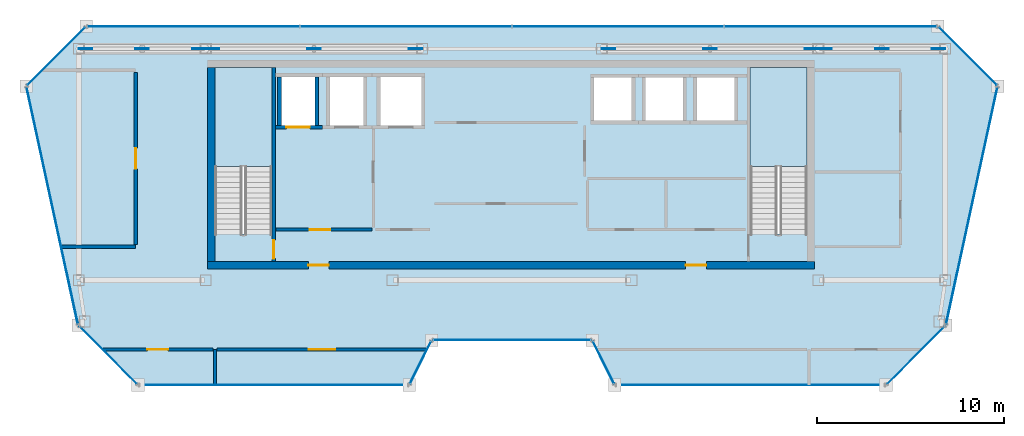
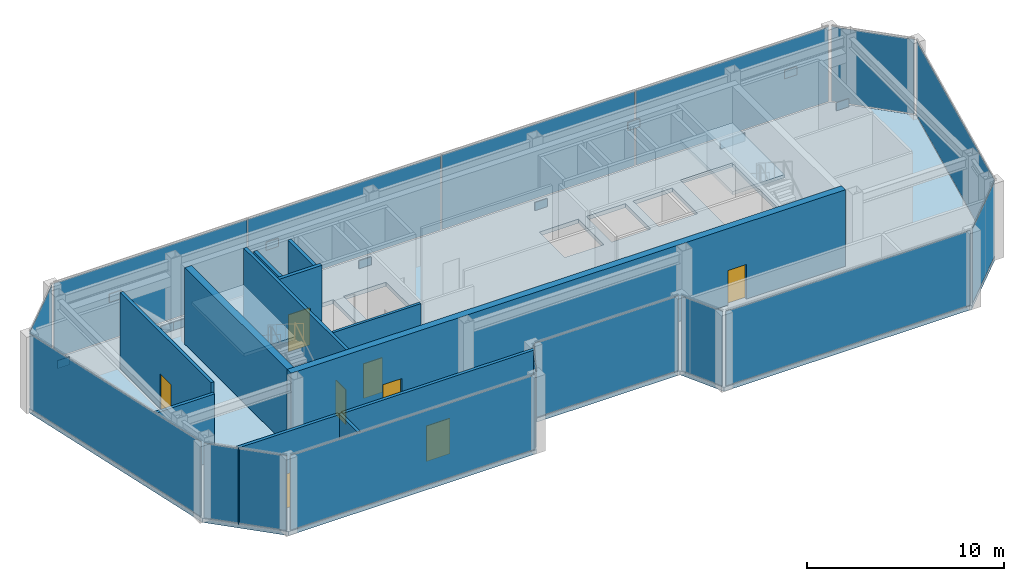
# One storey, part 15 of 20: 27 plates, 12 walls, 8 doors, 3 slabs, 8 openings, 14 elements without a shape of their own.
"""IFC4 building model written with IfcOpenShell, lengths in metres."""

from ifc_helpers import new_model, si_unit, direction, frame, frame_2d, origin, origin_2d, place, context, subcontext, project, spatial, polyline, rectangle, outline, extrude, material, layer, layer_set, type_object, element, fill, aggregate, save


model = new_model("IFC4")

# Units and contexts
model_context = context("Model", 3, precision=1e-05, world=origin(), true_north=direction((0.0, 1.0)))
body_context = subcontext(model_context, "Body", "Model", "MODEL_VIEW")
ifc_project = project(units=[si_unit("LENGTHUNIT", "METRE"), si_unit("AREAUNIT", "SQUARE_METRE"), si_unit("VOLUMEUNIT", "CUBIC_METRE"), si_unit("PLANEANGLEUNIT", "RADIAN"), si_unit("MASSUNIT", "GRAM", prefix="KILO")], contexts=[model_context])

# Site, building, storey
site_placement = place(None, origin())
site = spatial("IfcSite", under=ifc_project, at=site_placement, CompositionType="ELEMENT")
building_placement = place(site_placement, origin())
building = spatial("IfcBuilding", under=site, at=building_placement, Name="Saevonmaru Cultural Tower", CompositionType="ELEMENT")
storey_placement = place(building_placement, frame((0.0, 0.0, 314.199951171875)))
storey = spatial("IfcBuildingStorey", under=building, at=storey_placement, Name="L75", CompositionType="ELEMENT", Elevation=314.199951171875)

# Plates
ifc_material_1 = material(Name="Steel HSA600 (600 MPa)", Category="steel")
ifc_layer_1 = layer(ifc_material_1, 0.044921875, Name="Steel HSA600 (600 MPa)")
ifc_layer_set_1 = layer_set([ifc_layer_1], Name="Steel HSA600 (600 MPa)")
plate_type_1 = type_object("IfcPlateType", Name="PL-GUSSET-INT", PredefinedType="USERDEFINED", material=ifc_layer_set_1)
for number, where, z_axis, x_axis, name in (
    (1, (13.9599609375, 54.800048828125, 0.300048828125), (0.0, 0.0, 1.0), (1.0, 0.0, 0.0), "L75 Truss Base Gusset Plate OW1-1"),
    (2, (24.840087890625, 54.800048828125, 0.300048828125), (0.0, 0.0, 1.0), (1.0, 0.0, 0.0), "L75 Truss Base Gusset Plate OW1-2"),
    (3, (19.39990234375, 54.800048828125, 3.35009765625), (0.0, 0.0, 1.0), (1.0, 0.0, 0.0), "L75 Truss Node Gusset Plate OW1"),
    (4, (35.159912109375, 54.800048828125, 0.300048828125), (0.0, 0.0, 1.0), (1.0, 0.0, 0.0), "L75 Truss Base Gusset Plate OE1-1"),
    (5, (46.0400390625, 54.800048828125, 0.300048828125), (0.0, 0.0, 1.0), (1.0, 0.0, 0.0), "L75 Truss Base Gusset Plate OE1-2"),
    (6, (40.60009765625, 54.800048828125, 3.35009765625), (0.0, 0.0, 1.0), (1.0, 0.0, 0.0), "L75 Truss Node Gusset Plate OE1"),
    (7, (7.159912109375, 54.800048828125, 0.300048828125), (0.0, 0.0, 1.0), (1.0, 0.0, 0.0), "L75 Truss Base Gusset Plate OW2-1"),
    (8, (13.239990234375, 54.800048828125, 0.300048828125), (0.0, 0.0, 1.0), (1.0, 0.0, 0.0), "L75 Truss Base Gusset Plate OW2-2"),
    (9, (10.199951171875, 54.800048828125, 3.35009765625), (0.0, 0.0, 1.0), (1.0, 0.0, 0.0), "L75 Truss Node Gusset Plate OW2"),
    (10, (46.760009765625, 54.800048828125, 0.300048828125), (0.0, 0.0, 1.0), (1.0, 0.0, 0.0), "L75 Truss Base Gusset Plate OE2-1"),
    (11, (52.840087890625, 54.800048828125, 0.300048828125), (0.0, 0.0, 1.0), (1.0, 0.0, 0.0), "L75 Truss Base Gusset Plate OE2-2"),
    (12, (49.800048828125, 54.800048828125, 3.35009765625), (0.0, 0.0, 1.0), (1.0, 0.0, 0.0), "L75 Truss Node Gusset Plate OE2"),
):
    element("IfcPlate", number, at=place(storey_placement, frame(where, z_axis=z_axis, x_axis=x_axis)), inside=storey, type_object=plate_type_1, Name=name, ObjectType="GUSSET_PLATE", PredefinedType="USERDEFINED", context=body_context, shape_type="SweptSolid", body=[
        extrude(rectangle(XDim=0.719970703125, YDim=0.044921875, at=origin_2d()), origin(), (0.0, 0.0, 1.0), 0.5),
    ])

# Curtain wall, plate
ifc_material_2 = material(Name="Satin Bronze Anodised Aluminium", Category="aluminium")
curtain_wall_type = type_object("IfcCurtainWallType", Name="CW-TYP-B", PredefinedType="NOTDEFINED", material=ifc_material_2)
curtain_wall_1_placement = place(storey_placement, origin())
curtain_wall_1 = element("IfcCurtainWall", 13, at=curtain_wall_1_placement, inside=storey, type_object=curtain_wall_type, Name="L75 Wind-Floor Acoustic Louvre Screen E1", PredefinedType="NOTDEFINED")
ifc_material_3 = material(Name="Champagne Bronze Anodised Aluminium", Category="aluminium")
ifc_layer_2 = layer(ifc_material_3, 0.080078125, Name="Champagne Bronze Anodised Aluminium")
ifc_layer_set_2 = layer_set([ifc_layer_2], Name="Champagne Bronze Anodised Aluminium")
plate_type_2 = type_object("IfcPlateType", Name="PN-LOUVRE-WIND", PredefinedType="CURTAIN_PANEL", material=ifc_layer_set_2)
plate_1_placement = place(storey_placement, frame((8.373291015625, 38.39990234375, 0.06689453125), z_axis=(0.0, 0.0, 1.0), x_axis=(0.707106781187, -0.707106781187, 0.0)))
plate_1 = element("IfcPlate", 14, at=plate_1_placement, type_object=plate_type_2, Name="CW-TW-L75-E1 panel 1.1", PredefinedType="CURTAIN_PANEL", context=body_context, shape_type="SweptSolid", body=[
    extrude(rectangle(XDim=4.336669921875, YDim=0.035888671875, at=origin_2d()), origin(), (0.0, 0.0, 1.0), 4.615966796875),
])
aggregate(curtain_wall_1, [plate_1])

curtain_wall_2_placement = place(storey_placement, origin())
curtain_wall_2 = element("IfcCurtainWall", 15, at=curtain_wall_2_placement, inside=storey, type_object=curtain_wall_type, Name="L75 Wind-Floor Acoustic Louvre Screen E2", PredefinedType="NOTDEFINED")
plate_2_placement = place(storey_placement, frame((17.236572265625, 36.800048828125, 0.06689453125), z_axis=(0.0, 0.0, 1.0), x_axis=(1.0, 0.0, 0.0)))
plate_2 = element("IfcPlate", 16, at=plate_2_placement, type_object=plate_type_2, Name="CW-TW-L75-E2 panel 1.1", PredefinedType="CURTAIN_PANEL", context=body_context, shape_type="SweptSolid", body=[
    extrude(rectangle(XDim=14.337646484375, YDim=0.035888671875, at=origin_2d()), origin(), (0.0, 0.0, 1.0), 4.615966796875),
])
aggregate(curtain_wall_2, [plate_2])

curtain_wall_3_placement = place(storey_placement, origin())
curtain_wall_3 = element("IfcCurtainWall", 17, at=curtain_wall_3_placement, inside=storey, type_object=curtain_wall_type, Name="L75 Wind-Floor Acoustic Louvre Screen E3", PredefinedType="NOTDEFINED")
plate_3_placement = place(storey_placement, frame((25.10009765625, 38.0, 0.06689453125), z_axis=(0.0, 0.0, 1.0), x_axis=(0.447244798252, 0.894411588944, 0.0)))
plate_3 = element("IfcPlate", 18, at=plate_3_placement, type_object=plate_type_2, Name="CW-TW-L75-E3 panel 1.1", PredefinedType="CURTAIN_PANEL", context=body_context, shape_type="SweptSolid", body=[
    extrude(rectangle(XDim=2.494140625, YDim=0.035888671875, at=origin_2d()), origin(), (0.0, 0.0, 1.0), 4.615966796875),
])
aggregate(curtain_wall_3, [plate_3])

curtain_wall_4_placement = place(storey_placement, origin())
curtain_wall_4 = element("IfcCurtainWall", 19, at=curtain_wall_4_placement, inside=storey, type_object=curtain_wall_type, Name="L75 Wind-Floor Acoustic Louvre Screen E4", PredefinedType="NOTDEFINED")
plate_4_placement = place(storey_placement, frame((30.0, 39.199951171875, 0.06689453125), z_axis=(0.0, 0.0, 1.0), x_axis=(1.0, 0.0, 0.0)))
plate_4 = element("IfcPlate", 20, at=plate_4_placement, type_object=plate_type_2, Name="CW-TW-L75-E4 panel 1.1", PredefinedType="CURTAIN_PANEL", context=body_context, shape_type="SweptSolid", body=[
    extrude(rectangle(XDim=8.410888671875, YDim=0.035888671875, at=origin_2d()), origin(), (0.0, 0.0, 1.0), 4.615966796875),
])
aggregate(curtain_wall_4, [plate_4])

curtain_wall_5_placement = place(storey_placement, origin())
curtain_wall_5 = element("IfcCurtainWall", 21, at=curtain_wall_5_placement, inside=storey, type_object=curtain_wall_type, Name="L75 Wind-Floor Acoustic Louvre Screen E5", PredefinedType="NOTDEFINED")
plate_5_placement = place(storey_placement, frame((34.89990234375, 38.0, 0.06689453125), z_axis=(0.0, 0.0, 1.0), x_axis=(0.447244798252, -0.894411588944, 0.0)))
plate_5 = element("IfcPlate", 22, at=plate_5_placement, type_object=plate_type_2, Name="CW-TW-L75-E5 panel 1.1", PredefinedType="CURTAIN_PANEL", context=body_context, shape_type="SweptSolid", body=[
    extrude(rectangle(XDim=2.494140625, YDim=0.035888671875, at=origin_2d()), origin(), (0.0, 0.0, 1.0), 4.615966796875),
])
aggregate(curtain_wall_5, [plate_5])

curtain_wall_6_placement = place(storey_placement, origin())
curtain_wall_6 = element("IfcCurtainWall", 23, at=curtain_wall_6_placement, inside=storey, type_object=curtain_wall_type, Name="L75 Wind-Floor Acoustic Louvre Screen E6", PredefinedType="NOTDEFINED")
plate_6_placement = place(storey_placement, frame((42.763427734375, 36.800048828125, 0.06689453125), z_axis=(0.0, 0.0, 1.0), x_axis=(1.0, 0.0, 0.0)))
plate_6 = element("IfcPlate", 24, at=plate_6_placement, type_object=plate_type_2, Name="CW-TW-L75-E6 panel 1.1", PredefinedType="CURTAIN_PANEL", context=body_context, shape_type="SweptSolid", body=[
    extrude(rectangle(XDim=14.337646484375, YDim=0.035888671875, at=origin_2d()), origin(), (0.0, 0.0, 1.0), 4.615966796875),
])
aggregate(curtain_wall_6, [plate_6])

curtain_wall_7_placement = place(storey_placement, origin())
curtain_wall_7 = element("IfcCurtainWall", 25, at=curtain_wall_7_placement, inside=storey, type_object=curtain_wall_type, Name="L75 Wind-Floor Acoustic Louvre Screen E7", PredefinedType="NOTDEFINED")
plate_7_placement = place(storey_placement, frame((51.626708984375, 38.39990234375, 0.06689453125), z_axis=(0.0, 0.0, 1.0), x_axis=(0.707106781187, 0.707106781187, 0.0)))
plate_7 = element("IfcPlate", 26, at=plate_7_placement, type_object=plate_type_2, Name="CW-TW-L75-E7 panel 1.1", PredefinedType="CURTAIN_PANEL", context=body_context, shape_type="SweptSolid", body=[
    extrude(rectangle(XDim=4.336669921875, YDim=0.035888671875, at=origin_2d()), origin(), (0.0, 0.0, 1.0), 4.615966796875),
])
aggregate(curtain_wall_7, [plate_7])

curtain_wall_8_placement = place(storey_placement, origin())
curtain_wall_8 = element("IfcCurtainWall", 27, at=curtain_wall_8_placement, inside=storey, type_object=curtain_wall_type, Name="L75 Wind-Floor Acoustic Louvre Screen E8", PredefinedType="NOTDEFINED")
plate_8_placement = place(storey_placement, frame((54.61328125, 46.39990234375, 0.06689453125), z_axis=(0.0, 0.0, 1.0), x_axis=(0.211750401587, 0.977323778196, 0.0)))
plate_8 = element("IfcPlate", 28, at=plate_8_placement, type_object=plate_type_2, Name="CW-TW-L75-E8 panel 1.1", PredefinedType="CURTAIN_PANEL", context=body_context, shape_type="SweptSolid", body=[
    extrude(rectangle(XDim=12.907958984375, YDim=0.035888671875, at=origin_2d()), origin(), (0.0, 0.0, 1.0), 4.615966796875),
])
aggregate(curtain_wall_8, [plate_8])

curtain_wall_9_placement = place(storey_placement, origin())
curtain_wall_9 = element("IfcCurtainWall", 29, at=curtain_wall_9_placement, inside=storey, type_object=curtain_wall_type, Name="L75 Wind-Floor Acoustic Louvre Screen E9", PredefinedType="NOTDEFINED")
plate_9_placement = place(storey_placement, frame((54.39990234375, 54.39990234375, 0.06689453125), z_axis=(0.0, 0.0, 1.0), x_axis=(-0.707106781187, 0.707106781187, 0.0)))
plate_9 = element("IfcPlate", 30, at=plate_9_placement, type_object=plate_type_2, Name="CW-TW-L75-E9 panel 1.1", PredefinedType="CURTAIN_PANEL", context=body_context, shape_type="SweptSolid", body=[
    extrude(rectangle(XDim=4.336669921875, YDim=0.035888671875, at=origin_2d()), origin(), (0.0, 0.0, 1.0), 4.615966796875),
])
aggregate(curtain_wall_9, [plate_9])

# Curtain wall, plates
curtain_wall_10_placement = place(storey_placement, origin())
curtain_wall_10 = element("IfcCurtainWall", 31, at=curtain_wall_10_placement, inside=storey, type_object=curtain_wall_type, Name="L75 Wind-Floor Acoustic Louvre Screen E10", PredefinedType="NOTDEFINED")
plate_10_placement = place(storey_placement, frame((47.054931640625, 56.0, 0.06689453125), z_axis=(0.0, 0.0, 1.0), x_axis=(-1.0, 0.0, 0.0)))
plate_10 = element("IfcPlate", 32, at=plate_10_placement, type_object=plate_type_2, Name="CW-TW-L75-E10 panel 1.1", PredefinedType="CURTAIN_PANEL", context=body_context, shape_type="SweptSolid", body=[
    extrude(rectangle(XDim=11.301025390625, YDim=0.035888671875, at=origin_2d()), origin(), (0.0, 0.0, 1.0), 4.615966796875),
])
plate_11_placement = place(storey_placement, frame((35.68505859375, 56.0, 0.06689453125), z_axis=(0.0, 0.0, 1.0), x_axis=(-1.0, 0.0, 0.0)))
plate_11 = element("IfcPlate", 33, at=plate_11_placement, type_object=plate_type_2, Name="CW-TW-L75-E10 panel 2.1", PredefinedType="CURTAIN_PANEL", context=body_context, shape_type="SweptSolid", body=[
    extrude(rectangle(XDim=11.301025390625, YDim=0.035888671875, at=origin_2d()), origin(), (0.0, 0.0, 1.0), 4.615966796875),
])
plate_12_placement = place(storey_placement, frame((24.31494140625, 56.0, 0.06689453125), z_axis=(0.0, 0.0, 1.0), x_axis=(-1.0, 0.0, 0.0)))
plate_12 = element("IfcPlate", 34, at=plate_12_placement, type_object=plate_type_2, Name="CW-TW-L75-E10 panel 3.1", PredefinedType="CURTAIN_PANEL", context=body_context, shape_type="SweptSolid", body=[
    extrude(rectangle(XDim=11.301025390625, YDim=0.035888671875, at=origin_2d()), origin(), (0.0, 0.0, 1.0), 4.615966796875),
])
plate_13_placement = place(storey_placement, frame((12.945068359375, 56.0, 0.06689453125), z_axis=(0.0, 0.0, 1.0), x_axis=(-1.0, 0.0, 0.0)))
plate_13 = element("IfcPlate", 35, at=plate_13_placement, type_object=plate_type_2, Name="CW-TW-L75-E10 panel 4.1", PredefinedType="CURTAIN_PANEL", context=body_context, shape_type="SweptSolid", body=[
    extrude(rectangle(XDim=11.301025390625, YDim=0.035888671875, at=origin_2d()), origin(), (0.0, 0.0, 1.0), 4.615966796875),
])
aggregate(curtain_wall_10, [plate_10, plate_11, plate_12, plate_13])

# Curtain wall, plate
curtain_wall_11_placement = place(storey_placement, origin())
curtain_wall_11 = element("IfcCurtainWall", 36, at=curtain_wall_11_placement, inside=storey, type_object=curtain_wall_type, Name="L75 Wind-Floor Acoustic Louvre Screen E11", PredefinedType="NOTDEFINED")
plate_14_placement = place(storey_placement, frame((5.60009765625, 54.39990234375, 0.06689453125), z_axis=(0.0, 0.0, 1.0), x_axis=(-0.707106781187, -0.707106781187, 0.0)))
plate_14 = element("IfcPlate", 37, at=plate_14_placement, type_object=plate_type_2, Name="CW-TW-L75-E11 panel 1.1", PredefinedType="CURTAIN_PANEL", context=body_context, shape_type="SweptSolid", body=[
    extrude(rectangle(XDim=4.336669921875, YDim=0.035888671875, at=origin_2d()), origin(), (0.0, 0.0, 1.0), 4.615966796875),
])
aggregate(curtain_wall_11, [plate_14])

curtain_wall_12_placement = place(storey_placement, origin())
curtain_wall_12 = element("IfcCurtainWall", 38, at=curtain_wall_12_placement, inside=storey, type_object=curtain_wall_type, Name="L75 Wind-Floor Acoustic Louvre Screen E12", PredefinedType="NOTDEFINED")
plate_15_placement = place(storey_placement, frame((5.38671875, 46.39990234375, 0.06689453125), z_axis=(0.0, 0.0, 1.0), x_axis=(0.211750401587, -0.977323778196, 0.0)))
plate_15 = element("IfcPlate", 39, at=plate_15_placement, type_object=plate_type_2, Name="CW-TW-L75-E12 panel 1.1", PredefinedType="CURTAIN_PANEL", context=body_context, shape_type="SweptSolid", body=[
    extrude(rectangle(XDim=12.907958984375, YDim=0.035888671875, at=origin_2d()), origin(), (0.0, 0.0, 1.0), 4.615966796875),
])
aggregate(curtain_wall_12, [plate_15])

# Slab
ifc_material_4 = material(Name="Concrete C40/50", Category="concrete")
ifc_layer_3 = layer(ifc_material_4, 0.25, Name="Concrete C40/50")
ifc_layer_set_3 = layer_set([ifc_layer_3], Name="Concrete C40/50")
slab_type_1 = type_object("IfcSlabType", Name="SL-FLR-250", PredefinedType="FLOOR", material=ifc_layer_set_3)
slab_1_placement = place(storey_placement, frame((0.0, 0.0, -0.25)))
element("IfcSlab", 40, at=slab_1_placement, inside=storey, type_object=slab_type_1, Name="L75 Tower Structural Floor Slab", PredefinedType="FLOOR", context=body_context, shape_type="SweptSolid", body=[
    extrude(outline(polyline([(6.773193359375, 40.0), (9.973388671875, 36.800048828125), (24.5, 36.800048828125), (25.699951171875, 39.199951171875), (34.300048828125, 39.199951171875), (35.5, 36.800048828125), (50.026611328125, 36.800048828125), (53.226806640625, 40.0), (56.0, 52.800048828125), (52.800048828125, 56.0), (7.199951171875, 56.0), (4.0, 52.800048828125), (6.773193359375, 40.0)]), holes=[polyline([(45.800048828125, 53.800048828125), (45.800048828125, 44.875), (42.75, 44.875), (42.75, 53.800048828125), (45.800048828125, 53.800048828125)]), polyline([(42.050048828125, 50.800048828125), (39.75, 50.800048828125), (39.75, 53.39990234375), (42.050048828125, 53.39990234375), (42.050048828125, 50.800048828125)]), polyline([(39.300048828125, 50.800048828125), (37.0, 50.800048828125), (37.0, 53.39990234375), (39.300048828125, 53.39990234375), (39.300048828125, 50.800048828125)]), polyline([(36.550048828125, 50.800048828125), (34.25, 50.800048828125), (34.25, 53.39990234375), (36.550048828125, 53.39990234375), (36.550048828125, 50.800048828125)]), polyline([(25.300048828125, 50.550048828125), (22.800048828125, 50.550048828125), (22.800048828125, 53.449951171875), (25.300048828125, 53.449951171875), (25.300048828125, 50.550048828125)]), polyline([(22.199951171875, 50.550048828125), (20.10009765625, 50.550048828125), (20.10009765625, 53.449951171875), (22.199951171875, 53.449951171875), (22.199951171875, 50.550048828125)]), polyline([(19.60009765625, 50.550048828125), (17.5, 50.550048828125), (17.5, 53.449951171875), (19.60009765625, 53.449951171875), (19.60009765625, 50.550048828125)]), polyline([(17.14990234375, 53.800048828125), (17.14990234375, 44.875), (14.10009765625, 44.875), (14.10009765625, 53.800048828125), (17.14990234375, 53.800048828125)])]), origin(), (0.0, 0.0, 1.0), 0.25),
])

# Stair, slab
stair_type = type_object("IfcStairType", Name="STR-DOGLEG-RC", PredefinedType="HALF_TURN_STAIR", material=ifc_material_4)
stair_1_placement = place(storey_placement, origin())
stair_1 = element("IfcStair", 41, at=stair_1_placement, inside=storey, type_object=stair_type, Name="L75 Protected exit stair ST-1", PredefinedType="HALF_TURN_STAIR")
ifc_layer_4 = layer(ifc_material_4, 0.199951171875, Name="Concrete C40/50")
ifc_layer_set_4 = layer_set([ifc_layer_4], Name="Concrete C40/50")
slab_type_2 = type_object("IfcSlabType", Name="SL-STAIR-LANDING", PredefinedType="LANDING", material=ifc_layer_set_4)
slab_2_placement = place(storey_placement, frame((0.0, 0.0, 2.300048828125)))
slab_2 = element("IfcSlab", 42, at=slab_2_placement, type_object=slab_type_2, Name="ST-1-L75 landing 1", PredefinedType="LANDING", context=body_context, shape_type="SweptSolid", body=[
    extrude(outline(polyline([(17.14990234375, 48.489990234375), (17.14990234375, 53.800048828125), (14.10009765625, 53.800048828125), (14.10009765625, 48.489990234375), (17.14990234375, 48.489990234375)])), origin(), (0.0, 0.0, 1.0), 0.199951171875),
])
aggregate(stair_1, [slab_2])

stair_2_placement = place(storey_placement, origin())
stair_2 = element("IfcStair", 43, at=stair_2_placement, inside=storey, type_object=stair_type, Name="L75 Protected exit stair ST-2", PredefinedType="HALF_TURN_STAIR")
slab_3_placement = place(storey_placement, frame((0.0, 0.0, 2.300048828125)))
slab_3 = element("IfcSlab", 44, at=slab_3_placement, type_object=slab_type_2, Name="ST-2-L75 landing 1", PredefinedType="LANDING", context=body_context, shape_type="SweptSolid", body=[
    extrude(outline(polyline([(45.800048828125, 48.489990234375), (45.800048828125, 53.800048828125), (42.75, 53.800048828125), (42.75, 48.489990234375), (45.800048828125, 48.489990234375)])), origin(), (0.0, 0.0, 1.0), 0.199951171875),
])
aggregate(stair_2, [slab_3])

# Wall, openings, doors
ifc_material_5 = material(Name="Concrete C50/60", Category="concrete")
ifc_layer_5 = layer(ifc_material_5, 0.39990234375, Name="Concrete C50/60")
ifc_layer_set_5 = layer_set([ifc_layer_5], Name="Concrete C50/60")
wall_type_1 = type_object("IfcWallType", Name="WL-CORE-400", PredefinedType="SHEAR", material=ifc_layer_set_5)
wall_1_placement = place(storey_placement, frame((13.699951171875, 43.199951171875, 0.0), z_axis=(0.0, 0.0, 1.0), x_axis=(1.0, 0.0, 0.0)))
wall_1 = element("IfcWall", 45, at=wall_1_placement, inside=storey, type_object=wall_type_1, Name="L75 Tower RC core shear wall S", PredefinedType="SHEAR", context=body_context, shape_type="SweptSolid", body=[
    extrude(rectangle(XDim=32.5, YDim=0.39990234375, at=frame_2d((16.25, 0.0))), origin(), (0.0, 0.0, 1.0), 4.75),
])
opening_1_placement = place(wall_1_placement, frame((5.39990234375, 0.0, 0.0)))
opening_1 = element("IfcOpeningElement", 46, at=opening_1_placement, cuts=wall_1, Name="Opening FD-2", PredefinedType="OPENING", context=body_context, shape_type="SweptSolid", body=[
    extrude(rectangle(XDim=1.10009765625, YDim=2.14990234375, at=frame_2d((0.550048828125, 1.074951171875))), frame((0.0, 0.2099609375, 0.0), z_axis=(0.0, -1.0, 0.0), x_axis=(1.0, 0.0, 0.0)), (0.0, 0.0, 1.0), 0.419921875),
])
opening_2_placement = place(wall_1_placement, frame((25.60009765625, 0.0, 0.0)))
opening_2 = element("IfcOpeningElement", 47, at=opening_2_placement, cuts=wall_1, Name="Opening FD-2", PredefinedType="OPENING", context=body_context, shape_type="SweptSolid", body=[
    extrude(rectangle(XDim=1.10009765625, YDim=2.14990234375, at=frame_2d((0.550048828125, 1.074951171875))), frame((0.0, 0.2099609375, 0.0), z_axis=(0.0, -1.0, 0.0), x_axis=(1.0, 0.0, 0.0)), (0.0, 0.0, 1.0), 0.419921875),
])
door_type_1 = type_object("IfcDoorType", Name="DR-FD60-1100", OperationType="SINGLE_SWING_LEFT", PredefinedType="DOOR", material=ifc_material_2)
door_1_placement = place(opening_1_placement, origin())
door_1 = element("IfcDoor", 48, at=door_1_placement, inside=storey, type_object=door_type_1, Name="L75 Core West Lobby Fire Door", OperationType="SINGLE_SWING_LEFT", OverallHeight=2.14990234375, OverallWidth=1.10009765625, PredefinedType="DOOR", context=body_context, shape_type="SweptSolid", body=[
    extrude(rectangle(XDim=1.10009765625, YDim=2.14990234375, at=frame_2d((0.550048828125, 1.074951171875))), frame((0.0, 0.02490234375, 0.0), z_axis=(0.0, -1.0, 0.0), x_axis=(1.0, 0.0, 0.0)), (0.0, 0.0, 1.0), 0.050048828125),
])
fill(opening_1, door_1)
door_2_placement = place(opening_2_placement, origin())
door_2 = element("IfcDoor", 49, at=door_2_placement, inside=storey, type_object=door_type_1, Name="L75 Core East Lobby Fire Door", OperationType="SINGLE_SWING_LEFT", OverallHeight=2.14990234375, OverallWidth=1.10009765625, PredefinedType="DOOR", context=body_context, shape_type="SweptSolid", body=[
    extrude(rectangle(XDim=1.10009765625, YDim=2.14990234375, at=frame_2d((0.550048828125, 1.074951171875))), frame((0.0, 0.02490234375, 0.0), z_axis=(0.0, -1.0, 0.0), x_axis=(1.0, 0.0, 0.0)), (0.0, 0.0, 1.0), 0.050048828125),
])
fill(opening_2, door_2)

# Wall
wall_2_placement = place(storey_placement, frame((13.89990234375, 43.39990234375, 0.0), z_axis=(0.0, 0.0, 1.0), x_axis=(0.0, 1.0, 0.0)))
element("IfcWall", 50, at=wall_2_placement, inside=storey, type_object=wall_type_1, Name="L75 Tower RC core shear wall W", PredefinedType="SHEAR", context=body_context, shape_type="SweptSolid", body=[
    extrude(rectangle(XDim=10.400146484375, YDim=0.39990234375, at=frame_2d((5.2001953125, 0.0))), origin(), (0.0, 0.0, 1.0), 4.75),
])

# Wall, opening, door
ifc_material_6 = material(Name="Gypsum Fireboard Partition", Category="gypsum")
ifc_layer_6 = layer(ifc_material_6, 0.14990234375, Name="Gypsum Fireboard Partition")
ifc_layer_set_6 = layer_set([ifc_layer_6], Name="Gypsum Fireboard Partition")
wall_type_2 = type_object("IfcWallType", Name="WL-CORE-PART-150", PredefinedType="PARTITIONING", material=ifc_layer_set_6)
wall_3_placement = place(storey_placement, frame((17.360107421875, 45.1201171875, 0.0), z_axis=(0.0, 0.0, 1.0), x_axis=(1.0, 0.0, 0.0)))
wall_3 = element("IfcWall", 51, at=wall_3_placement, inside=storey, type_object=wall_type_2, Name="L75 Firefighting Lift Lobby South Wall", PredefinedType="PARTITIONING", context=body_context, shape_type="SweptSolid", body=[
    extrude(rectangle(XDim=5.139892578125, YDim=0.14990234375, at=frame_2d((2.56982421875, 0.0))), origin(), (0.0, 0.0, 1.0), 4.75),
])
opening_3_placement = place(wall_3_placement, frame((1.800048828125, 0.0, 0.0)))
opening_3 = element("IfcOpeningElement", 52, at=opening_3_placement, cuts=wall_3, Name="Opening FD-2", PredefinedType="OPENING", context=body_context, shape_type="SweptSolid", body=[
    extrude(rectangle(XDim=1.10009765625, YDim=2.14990234375, at=frame_2d((0.550048828125, 1.074951171875))), frame((0.0, 0.0849609375, 0.0), z_axis=(0.0, -1.0, 0.0), x_axis=(1.0, 0.0, 0.0)), (0.0, 0.0, 1.0), 0.169921875),
])
door_3_placement = place(opening_3_placement, origin())
door_3 = element("IfcDoor", 53, at=door_3_placement, inside=storey, type_object=door_type_1, Name="L75 Firefighting Lift Lobby South Door", OperationType="SINGLE_SWING_LEFT", OverallHeight=2.14990234375, OverallWidth=1.10009765625, PredefinedType="DOOR", context=body_context, shape_type="SweptSolid", body=[
    extrude(rectangle(XDim=1.10009765625, YDim=2.14990234375, at=frame_2d((0.550048828125, 1.074951171875))), frame((0.0, 0.02490234375, 0.0), z_axis=(0.0, -1.0, 0.0), x_axis=(1.0, 0.0, 0.0)), (0.0, 0.0, 1.0), 0.050048828125),
])
fill(opening_3, door_3)

# Wall
ifc_layer_7 = layer(ifc_material_6, 0.179931640625, Name="Gypsum Fireboard Partition")
ifc_layer_set_7 = layer_set([ifc_layer_7], Name="Gypsum Fireboard Partition")
wall_type_3 = type_object("IfcWallType", Name="WL-PART-PLANT-180", PredefinedType="PARTITIONING", material=ifc_layer_set_7)
wall_4_placement = place(storey_placement, frame((14.10009765625, 36.804931640625, 0.0), z_axis=(0.0, 0.0, 1.0), x_axis=(0.0, 1.0, 0.0)))
element("IfcWall", 54, at=wall_4_placement, inside=storey, type_object=wall_type_3, Name="L75 Main Refuge West Wall", PredefinedType="PARTITIONING", context=body_context, shape_type="SweptSolid", body=[
    extrude(rectangle(XDim=1.89501953125, YDim=0.179931640625, at=frame_2d((0.947509765625, 0.0))), origin(), (0.0, 0.0, 1.0), 4.75),
])

# Wall, opening, door
wall_5_placement = place(storey_placement, frame((14.2099609375, 38.699951171875, 0.0), z_axis=(0.0, 0.0, 1.0), x_axis=(1.0, 0.0, 0.0)))
wall_5 = element("IfcWall", 55, at=wall_5_placement, inside=storey, type_object=wall_type_3, Name="L75 Main Refuge Promenade Wall", PredefinedType="PARTITIONING", context=body_context, shape_type="SweptSolid", body=[
    extrude(rectangle(XDim=11.234375, YDim=0.179931640625, at=frame_2d((5.6171875, 0.0))), origin(), (0.0, 0.0, 1.0), 4.75),
])
opening_4_placement = place(wall_5_placement, frame((4.9169921875, 0.0, 0.0)))
opening_4 = element("IfcOpeningElement", 56, at=opening_4_placement, cuts=wall_5, Name="Opening FD-0", PredefinedType="OPENING", context=body_context, shape_type="SweptSolid", body=[
    extrude(rectangle(XDim=1.39990234375, YDim=2.199951171875, at=frame_2d((0.699951171875, 1.10009765625))), frame((0.0, 0.10009765625, 0.0), z_axis=(0.0, -1.0, 0.0), x_axis=(1.0, 0.0, 0.0)), (0.0, 0.0, 1.0), 0.199951171875),
])
door_type_2 = type_object("IfcDoorType", Name="DR-FD60-1400", OperationType="DOUBLE_DOOR_SINGLE_SWING", PredefinedType="DOOR", material=ifc_material_2)
door_4_placement = place(opening_4_placement, origin())
door_4 = element("IfcDoor", 57, at=door_4_placement, inside=storey, type_object=door_type_2, Name="L75 Main Fire Safety Refuge Hall Door", OperationType="DOUBLE_DOOR_SINGLE_SWING", OverallHeight=2.199951171875, OverallWidth=1.39990234375, PredefinedType="DOOR", context=body_context, shape_type="SweptSolid", body=[
    extrude(rectangle(XDim=1.39990234375, YDim=2.199951171875, at=frame_2d((0.699951171875, 1.10009765625))), frame((0.0, 0.02490234375, 0.0), z_axis=(0.0, -1.0, 0.0), x_axis=(1.0, 0.0, 0.0)), (0.0, 0.0, 1.0), 0.050048828125),
])
fill(opening_4, door_4)

# Wall
wall_6_placement = place(storey_placement, frame((5.868408203125, 44.199951171875, 0.0), z_axis=(0.0, 0.0, 1.0), x_axis=(1.0, 0.0, 0.0)))
element("IfcWall", 58, at=wall_6_placement, inside=storey, type_object=wall_type_3, Name="L75 West Refuge South Wall", PredefinedType="PARTITIONING", context=body_context, shape_type="SweptSolid", body=[
    extrude(rectangle(XDim=3.981689453125, YDim=0.179931640625, at=frame_2d((1.99072265625, 0.0))), origin(), (0.0, 0.0, 1.0), 4.14697265625),
])

# Wall, opening, door
wall_7_placement = place(storey_placement, frame((9.85009765625, 44.31005859375, 0.0), z_axis=(0.0, 0.0, 1.0), x_axis=(0.0, 1.0, 0.0)))
wall_7 = element("IfcWall", 59, at=wall_7_placement, inside=storey, type_object=wall_type_3, Name="L75 West Refuge Door Wall", PredefinedType="PARTITIONING", context=body_context, shape_type="SweptSolid", body=[
    extrude(rectangle(XDim=9.22998046875, YDim=0.179931640625, at=frame_2d((4.614990234375, 0.0))), origin(), (0.0, 0.0, 1.0), 4.75),
])
opening_5_placement = place(wall_7_placement, frame((4.06494140625, 0.0, 0.0)))
opening_5 = element("IfcOpeningElement", 60, at=opening_5_placement, cuts=wall_7, Name="Opening FD-2", PredefinedType="OPENING", context=body_context, shape_type="SweptSolid", body=[
    extrude(rectangle(XDim=1.10009765625, YDim=2.14990234375, at=frame_2d((0.550048828125, 1.074951171875))), frame((0.0, 0.10009765625, 0.0), z_axis=(0.0, -1.0, 0.0), x_axis=(1.0, 0.0, 0.0)), (0.0, 0.0, 1.0), 0.199951171875),
])
door_5_placement = place(opening_5_placement, origin())
door_5 = element("IfcDoor", 61, at=door_5_placement, inside=storey, type_object=door_type_1, Name="L75 West Refuge Area Fire Door", OperationType="SINGLE_SWING_LEFT", OverallHeight=2.14990234375, OverallWidth=1.10009765625, PredefinedType="DOOR", context=body_context, shape_type="SweptSolid", body=[
    extrude(rectangle(XDim=1.10009765625, YDim=2.14990234375, at=frame_2d((0.550048828125, 1.074951171875))), frame((0.0, 0.02490234375, 0.0), z_axis=(0.0, -1.0, 0.0), x_axis=(1.0, 0.0, 0.0)), (0.0, 0.0, 1.0), 0.050048828125),
])
fill(opening_5, door_5)

wall_8_placement = place(storey_placement, frame((8.080322265625, 38.699951171875, 0.0), z_axis=(0.0, 0.0, 1.0), x_axis=(1.0, 0.0, 0.0)))
wall_8 = element("IfcWall", 62, at=wall_8_placement, inside=storey, type_object=wall_type_3, Name="L75 West AHU Plant North Wall", PredefinedType="PARTITIONING", context=body_context, shape_type="SweptSolid", body=[
    extrude(rectangle(XDim=5.90966796875, YDim=0.179931640625, at=frame_2d((2.954833984375, 0.0))), origin(), (0.0, 0.0, 1.0), 4.75),
])
opening_6_placement = place(wall_8_placement, frame((2.405029296875, 0.0, 0.0)))
opening_6 = element("IfcOpeningElement", 63, at=opening_6_placement, cuts=wall_8, Name="Opening FD-2", PredefinedType="OPENING", context=body_context, shape_type="SweptSolid", body=[
    extrude(rectangle(XDim=1.10009765625, YDim=2.14990234375, at=frame_2d((0.550048828125, 1.074951171875))), frame((0.0, 0.10009765625, 0.0), z_axis=(0.0, -1.0, 0.0), x_axis=(1.0, 0.0, 0.0)), (0.0, 0.0, 1.0), 0.199951171875),
])
door_6_placement = place(opening_6_placement, origin())
door_6 = element("IfcDoor", 64, at=door_6_placement, inside=storey, type_object=door_type_1, Name="L75 Primary AHU Plant Door", OperationType="SINGLE_SWING_RIGHT", OverallHeight=2.14990234375, OverallWidth=1.10009765625, PredefinedType="DOOR", context=body_context, shape_type="SweptSolid", body=[
    extrude(rectangle(XDim=1.10009765625, YDim=2.14990234375, at=frame_2d((0.550048828125, 1.074951171875))), frame((0.0, 0.02490234375, 0.0), z_axis=(0.0, -1.0, 0.0), x_axis=(1.0, 0.0, 0.0)), (0.0, 0.0, 1.0), 0.050048828125),
])
fill(opening_6, door_6)

ifc_layer_8 = layer(ifc_material_4, 0.199951171875, Name="Concrete C40/50")
ifc_layer_set_8 = layer_set([ifc_layer_8], Name="Concrete C40/50")
wall_type_4 = type_object("IfcWallType", Name="WL-SHAFT-200", PredefinedType="SHEAR", material=ifc_layer_set_8)
wall_9_placement = place(storey_placement, frame((17.330078125, 50.60009765625, 0.0), z_axis=(0.0, 0.0, 1.0), x_axis=(1.0, 0.0, 0.0)))
wall_9 = element("IfcWall", 65, at=wall_9_placement, inside=storey, type_object=wall_type_4, Name="L75 Lift FFL-1 Hoistway Wall S", PredefinedType="SHEAR", context=body_context, shape_type="SweptSolid", body=[
    extrude(rectangle(XDim=2.52001953125, YDim=0.199951171875, at=frame_2d((1.260009765625, 0.0))), origin(), (0.0, 0.0, 1.0), 4.75),
])
opening_7_placement = place(wall_9_placement, frame((0.594970703125, 0.0, 0.0)))
opening_7 = element("IfcOpeningElement", 66, at=opening_7_placement, cuts=wall_9, Name="Opening LD-2", PredefinedType="OPENING", context=body_context, shape_type="SweptSolid", body=[
    extrude(rectangle(XDim=1.25, YDim=2.300048828125, at=frame_2d((0.625, 1.14990234375))), frame((0.0, 0.10986328125, 0.0), z_axis=(0.0, -1.0, 0.0), x_axis=(1.0, 0.0, 0.0)), (0.0, 0.0, 1.0), 0.219970703125),
])
ifc_material_7 = material(Name="Stainless Steel 316", Category="steel")
door_type_3 = type_object("IfcDoorType", Name="DR-LIFT-1250", OperationType="SLIDING_TO_LEFT", PredefinedType="DOOR", material=ifc_material_7)
door_7_placement = place(opening_7_placement, origin())
door_7 = element("IfcDoor", 67, at=door_7_placement, inside=storey, type_object=door_type_3, Name="L75 Lift FFL-1 Sliding Landing Door", OperationType="SLIDING_TO_LEFT", OverallHeight=2.300048828125, OverallWidth=1.25, PredefinedType="DOOR", context=body_context, shape_type="SweptSolid", body=[
    extrude(rectangle(XDim=1.25, YDim=2.300048828125, at=frame_2d((0.625, 1.14990234375))), frame((0.0, 0.02490234375, 0.0), z_axis=(0.0, -1.0, 0.0), x_axis=(1.0, 0.0, 0.0)), (0.0, 0.0, 1.0), 0.050048828125),
])
fill(opening_7, door_7)

# Walls
for number, where, z_axis, x_axis, name in (
    (68, (17.550048828125, 50.699951171875, 0.0), (0.0, 0.0, 1.0), (0.0, 1.0, 0.0), "L75 Lift FFL-1 Hoistway Wall W"),
    (69, (19.550048828125, 50.699951171875, 0.0), (0.0, 0.0, 1.0), (0.0, 1.0, 0.0), "L75 Lift FFL-1 Hoistway Wall E"),
):
    element("IfcWall", number, at=place(storey_placement, frame(where, z_axis=z_axis, x_axis=x_axis)), inside=storey, type_object=wall_type_4, Name=name, PredefinedType="SHEAR", context=body_context, shape_type="SweptSolid", body=[
        extrude(rectangle(XDim=2.60009765625, YDim=0.199951171875, at=frame_2d((1.300048828125, 0.0))), origin(), (0.0, 0.0, 1.0), 4.75),
    ])

# Wall, opening, door
ifc_layer_9 = layer(ifc_material_4, 0.179931640625, Name="Concrete C40/50")
ifc_layer_set_9 = layer_set([ifc_layer_9], Name="Concrete C40/50")
wall_type_5 = type_object("IfcWallType", Name="WL-STSHAFT-180", PredefinedType="SHEAR", material=ifc_layer_set_9)
wall_10_placement = place(storey_placement, frame((17.239990234375, 43.39990234375, 0.0), z_axis=(0.0, 0.0, 1.0), x_axis=(0.0, 1.0, 0.0)))
wall_10 = element("IfcWall", 70, at=wall_10_placement, inside=storey, type_object=wall_type_5, Name="L75 Stair ST-1 Structural Shaft Wall 1", PredefinedType="SHEAR", context=body_context, shape_type="SweptSolid", body=[
    extrude(rectangle(XDim=10.400146484375, YDim=0.179931640625, at=frame_2d((5.2001953125, 0.0))), origin(), (0.0, 0.0, 1.0), 4.75),
])
opening_8_placement = place(wall_10_placement, frame((0.159912109375, 0.0, 0.0)))
opening_8 = element("IfcOpeningElement", 71, at=opening_8_placement, cuts=wall_10, Name="Opening FD-3", PredefinedType="OPENING", context=body_context, shape_type="SweptSolid", body=[
    extrude(rectangle(XDim=1.0, YDim=2.14990234375, at=frame_2d((0.5, 1.074951171875))), frame((0.0, 0.10009765625, 0.0), z_axis=(0.0, -1.0, 0.0), x_axis=(1.0, 0.0, 0.0)), (0.0, 0.0, 1.0), 0.199951171875),
])
door_type_4 = type_object("IfcDoorType", Name="DR-FD60-1000", OperationType="SINGLE_SWING_RIGHT", PredefinedType="DOOR", material=ifc_material_2)
door_8_placement = place(opening_8_placement, origin())
door_8 = element("IfcDoor", 72, at=door_8_placement, inside=storey, type_object=door_type_4, Name="L75 Protected Stair ST-1 Fire Door", OperationType="SINGLE_SWING_RIGHT", OverallHeight=2.14990234375, OverallWidth=1.0, PredefinedType="DOOR", context=body_context, shape_type="SweptSolid", body=[
    extrude(rectangle(XDim=1.0, YDim=2.14990234375, at=frame_2d((0.5, 1.074951171875))), frame((0.0, 0.02490234375, 0.0), z_axis=(0.0, -1.0, 0.0), x_axis=(1.0, 0.0, 0.0)), (0.0, 0.0, 1.0), 0.050048828125),
])
fill(opening_8, door_8)

save(model, "model.ifc")
